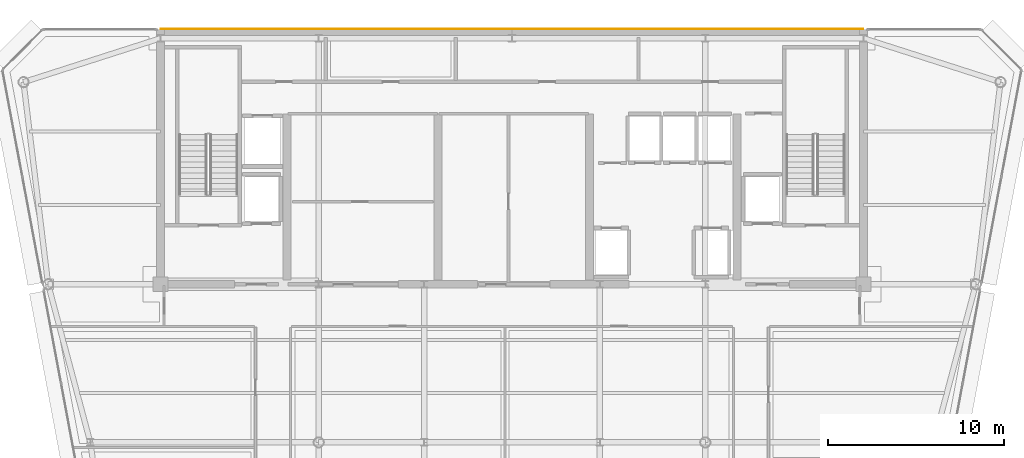
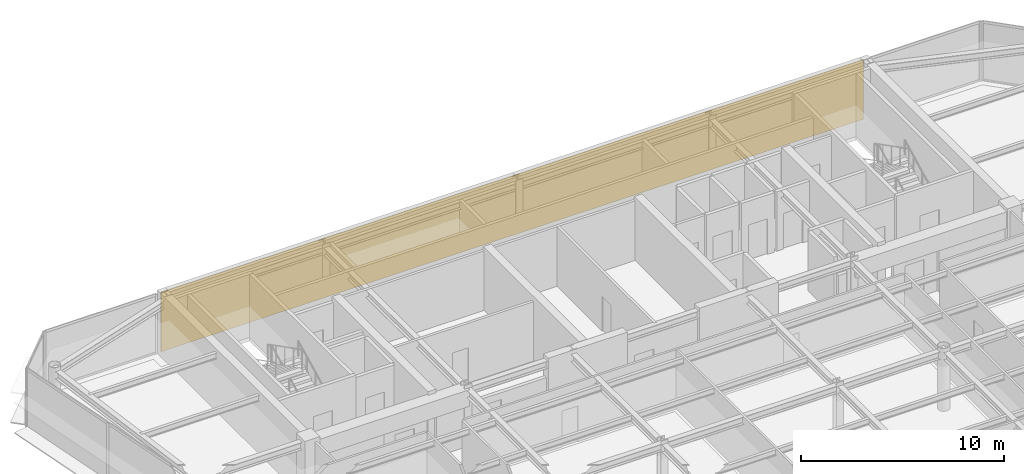
# One storey, part 19 of 20: 1 covering.
"""IFC4 building model written with IfcOpenShell, lengths in metres."""

from ifc_helpers import new_model, si_unit, direction, frame, origin, place, context, subcontext, project, spatial, polyline, outline, extrude, material, layer, layer_set, type_object, element, save


model = new_model("IFC4")

# Units and contexts
model_context = context("Model", 3, precision=1e-05, world=origin(), true_north=direction((0.0, 1.0)))
body_context = subcontext(model_context, "Body", "Model", "MODEL_VIEW")
ifc_project = project(units=[si_unit("LENGTHUNIT", "METRE"), si_unit("AREAUNIT", "SQUARE_METRE"), si_unit("VOLUMEUNIT", "CUBIC_METRE"), si_unit("PLANEANGLEUNIT", "RADIAN"), si_unit("MASSUNIT", "GRAM", prefix="KILO")], contexts=[model_context])

# Site, building, storey
site_placement = place(None, origin())
site = spatial("IfcSite", under=ifc_project, at=site_placement, CompositionType="ELEMENT")
building_placement = place(site_placement, origin())
building = spatial("IfcBuilding", under=site, at=building_placement, Name="Vaeldorn Concourse Tower", CompositionType="ELEMENT")
storey_placement = place(building_placement, frame((0.0, 0.0, 284.0)))
storey = spatial("IfcBuildingStorey", under=building, at=storey_placement, Name="L73", CompositionType="ELEMENT", Elevation=284.0)

# Covering
ifc_material = material(Name="Anodised Bronze Aluminium", Category="aluminium")
ifc_layer = layer(ifc_material, 0.050048828125)
ifc_layer_set = layer_set([ifc_layer], Name="Anodised Bronze Aluminium")
covering_type = type_object("IfcCoveringType", Name="COV-CLAD-BRONZE", PredefinedType="CLADDING", material=ifc_layer_set)
covering_placement = place(storey_placement, origin())
element("IfcCovering", 1, at=covering_placement, inside=storey, type_object=covering_type, Name="Rear Core Bronze Spandrel Cladding L73", PredefinedType="CLADDING", context=body_context, shape_type="SweptSolid", body=[
    extrude(outline(polyline([(14.0, 51.0), (54.0, 51.0), (54.0, 51.050048828125), (14.0, 51.050048828125), (14.0, 51.0)])), origin(), (0.0, 0.0, 1.0), 3.580078125),
])

save(model, "model.ifc")
